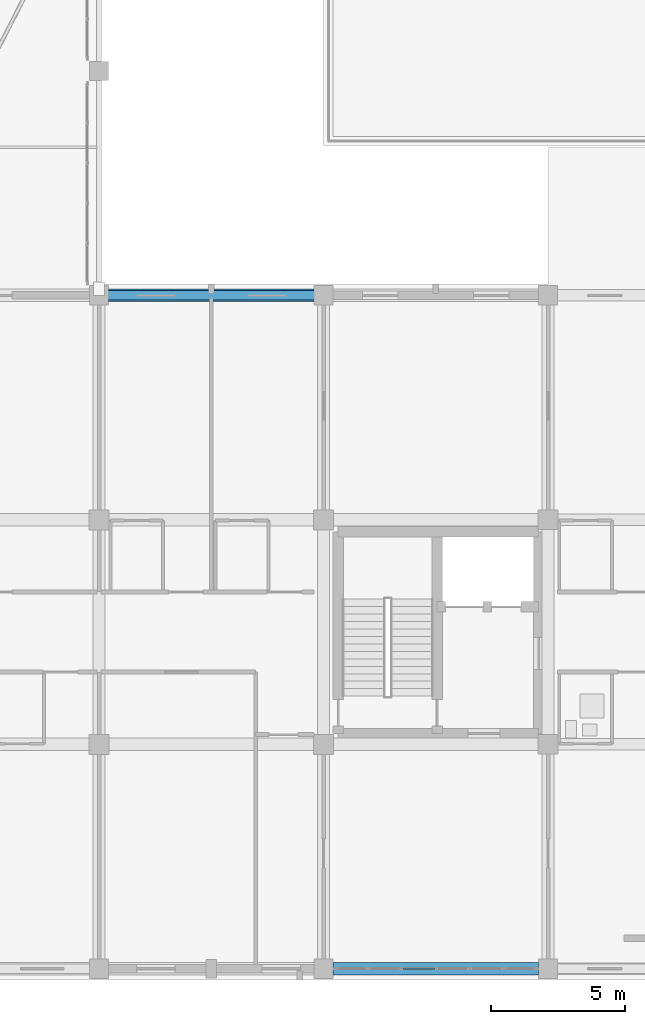
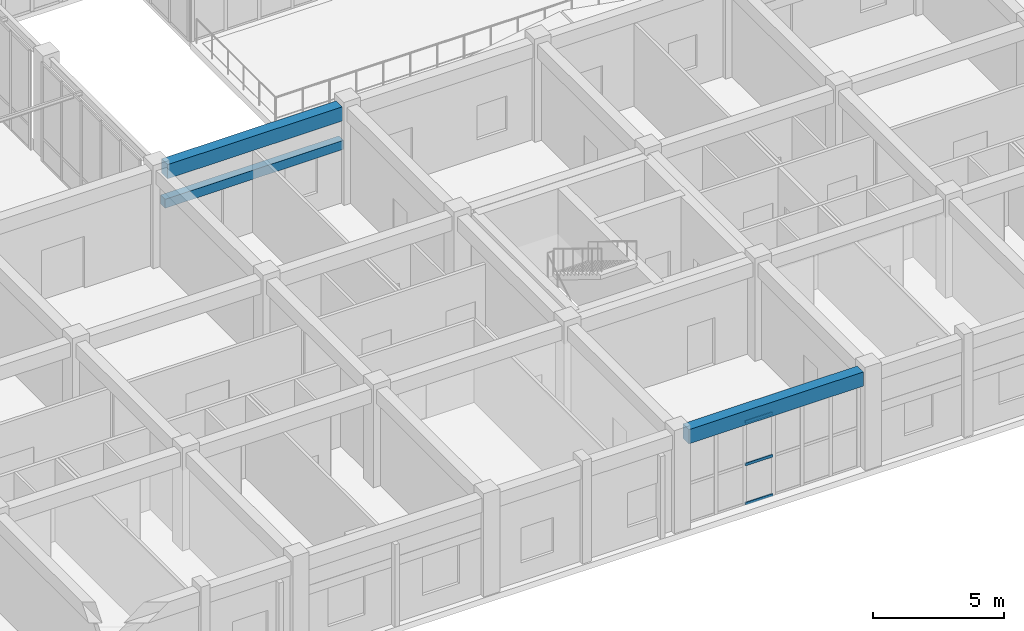
# One storey, part 35 of 158: 3 beams, 3 members, 1 element without a shape of its own.
"""IFC4 building model written with IfcOpenShell, lengths in metres."""

from ifc_helpers import new_model, si_unit, direction, frame, origin, origin_2d, place, context, subcontext, project, spatial, rectangle, hollow_rectangle, extrude, material, layer, layer_set, material_profile, profile_set, type_object, element, aggregate, save


model = new_model("IFC4")

# Units and contexts
model_context = context("Model", 3, precision=1e-05, world=origin(), true_north=direction((0.0, 1.0)))
body_context = subcontext(model_context, "Body", "Model", "MODEL_VIEW")
ifc_project = project(units=[si_unit("LENGTHUNIT", "METRE"), si_unit("AREAUNIT", "SQUARE_METRE"), si_unit("VOLUMEUNIT", "CUBIC_METRE"), si_unit("PLANEANGLEUNIT", "RADIAN"), si_unit("MASSUNIT", "GRAM", prefix="KILO")], contexts=[model_context])

# Site, building, storey
site_placement = place(None, origin())
site = spatial("IfcSite", under=ifc_project, at=site_placement, CompositionType="ELEMENT")
building_placement = place(site_placement, origin())
building = spatial("IfcBuilding", under=site, at=building_placement, Name="Trelvath General Hospital", CompositionType="ELEMENT")
storey_placement = place(building_placement, frame((0.0, 0.0, 8.10009765625)))
storey = spatial("IfcBuildingStorey", under=building, at=storey_placement, Name="L02", CompositionType="ELEMENT", Elevation=8.10009765625)

# Beams
ifc_material_1 = material(Name="Concrete C35/45", Category="concrete")
ifc_material_profile_1 = material_profile(ifc_material_1, rectangle(XDim=0.4599609375, YDim=0.659912109375, at=origin_2d()), Name="RCB460x660")
ifc_profile_set_1 = profile_set([ifc_material_profile_1], Name="Concrete C35/45")
beam_type_1 = type_object("IfcBeamType", Name="Beam RC460x660", PredefinedType="BEAM", material=ifc_profile_set_1)
beam_1_placement = place(storey_placement, frame((84.35498046875, 25.199951171875, 4.18994140625), z_axis=(1.0, 0.0, 0.0), x_axis=(0.0, 1.0, 0.0)))
element("IfcBeam", 1, at=beam_1_placement, inside=storey, type_object=beam_type_1, Name="Grid Beam BX-210D", PredefinedType="BEAM", context=body_context, shape_type="SweptSolid", body=[
    extrude(rectangle(XDim=0.4599609375, YDim=0.659912109375, at=origin_2d()), origin(), (0.0, 0.0, 1.0), 7.68994140625),
])
beam_2_placement = place(storey_placement, frame((92.7548828125, 0.0, 4.18994140625), z_axis=(1.0, 0.0, 0.0), x_axis=(0.0, 1.0, 0.0)))
element("IfcBeam", 2, at=beam_2_placement, inside=storey, type_object=beam_type_1, Name="Grid Beam BX-211A", PredefinedType="BEAM", context=body_context, shape_type="SweptSolid", body=[
    extrude(rectangle(XDim=0.4599609375, YDim=0.659912109375, at=origin_2d()), origin(), (0.0, 0.0, 1.0), 7.690185546875),
])

# Curtain wall, members
ifc_material_2 = material(Name="Anodised aluminium and low-E glass", Category="aluminium")
ifc_layer = layer(ifc_material_2, 0.159912109375)
ifc_layer_set = layer_set([ifc_layer], Name="Anodised aluminium and low-E glass")
curtain_wall_type = type_object("IfcCurtainWallType", Name="CW Facade 757 386 16", PredefinedType="USERDEFINED", material=ifc_layer_set)
curtain_wall_placement = place(storey_placement, origin())
curtain_wall = element("IfcCurtainWall", 3, at=curtain_wall_placement, inside=storey, type_object=curtain_wall_type, Name="Facade Curtain Wall CW-044", ObjectType="Unitised Glazed Curtain Wall", PredefinedType="USERDEFINED")
ifc_material_3 = material(Name="Anodised aluminium", Category="aluminium")
ifc_material_profile_2 = material_profile(ifc_material_3, hollow_rectangle(XDim=0.06005859375, YDim=0.125, WallThickness=0.00390625, at=origin_2d()), Name="RHS60x125x4")
ifc_profile_set_2 = profile_set([ifc_material_profile_2], Name="Anodised aluminium")
member_type = type_object("IfcMemberType", Name="CurtainTransom 60x125", PredefinedType="USERDEFINED", material=ifc_profile_set_2)
member_1_placement = place(storey_placement, frame((96.570068359375, 0.0, 0.02978515625), z_axis=(-1.0, 0.0, 0.0), x_axis=(0.0, -1.0, 0.0)))
member_1 = element("IfcMember", 4, at=member_1_placement, type_object=member_type, Name="CW-044 transom 4.1", ObjectType="TRANSOM", PredefinedType="USERDEFINED", context=body_context, shape_type="SweptSolid", body=[
    extrude(hollow_rectangle(XDim=0.06005859375, YDim=0.125, WallThickness=0.00390625, at=origin_2d()), origin(), (0.0, 0.0, 1.0), 1.20166015625),
])
member_2_placement = place(storey_placement, frame((96.570068359375, 0.0, 1.852783203125), z_axis=(-1.0, 0.0, 0.0), x_axis=(0.0, -1.0, 0.0)))
member_2 = element("IfcMember", 5, at=member_2_placement, type_object=member_type, Name="CW-044 transom 4.2", ObjectType="TRANSOM", PredefinedType="USERDEFINED", context=body_context, shape_type="SweptSolid", body=[
    extrude(hollow_rectangle(XDim=0.06005859375, YDim=0.125, WallThickness=0.00390625, at=origin_2d()), origin(), (0.0, 0.0, 1.0), 1.20166015625),
])
member_3_placement = place(storey_placement, frame((96.570068359375, 0.0, 3.829833984375), z_axis=(-1.0, 0.0, 0.0), x_axis=(0.0, -1.0, 0.0)))
member_3 = element("IfcMember", 6, at=member_3_placement, type_object=member_type, Name="CW-044 transom 4.3", ObjectType="TRANSOM", PredefinedType="USERDEFINED", context=body_context, shape_type="SweptSolid", body=[
    extrude(hollow_rectangle(XDim=0.06005859375, YDim=0.125, WallThickness=0.00390625, at=origin_2d()), origin(), (0.0, 0.0, 1.0), 1.20166015625),
])
aggregate(curtain_wall, [member_1, member_2, member_3])

# Beam
ifc_material_4 = material(Name="Precast concrete C40/50", Category="concrete")
ifc_material_profile_3 = material_profile(ifc_material_4, rectangle(XDim=0.35009765625, YDim=0.419921875, at=origin_2d()), Name="PCL350x420")
ifc_profile_set_3 = profile_set([ifc_material_profile_3], Name="Precast concrete C40/50")
beam_type_2 = type_object("IfcBeamType", Name="Lintel PC350x420", PredefinedType="LINTEL", material=ifc_profile_set_3)
beam_3_placement = place(storey_placement, frame((84.27490234375, 25.199951171875, 2.68994140625), z_axis=(1.0, 0.0, 0.0), x_axis=(0.0, 1.0, 0.0)))
element("IfcBeam", 7, at=beam_3_placement, inside=storey, type_object=beam_type_2, Name="Precast Window Brow Lintel L02-276", PredefinedType="LINTEL", context=body_context, shape_type="SweptSolid", body=[
    extrude(rectangle(XDim=0.35009765625, YDim=0.419921875, at=origin_2d()), origin(), (0.0, 0.0, 1.0), 7.85009765625),
])

save(model, "model.ifc")
